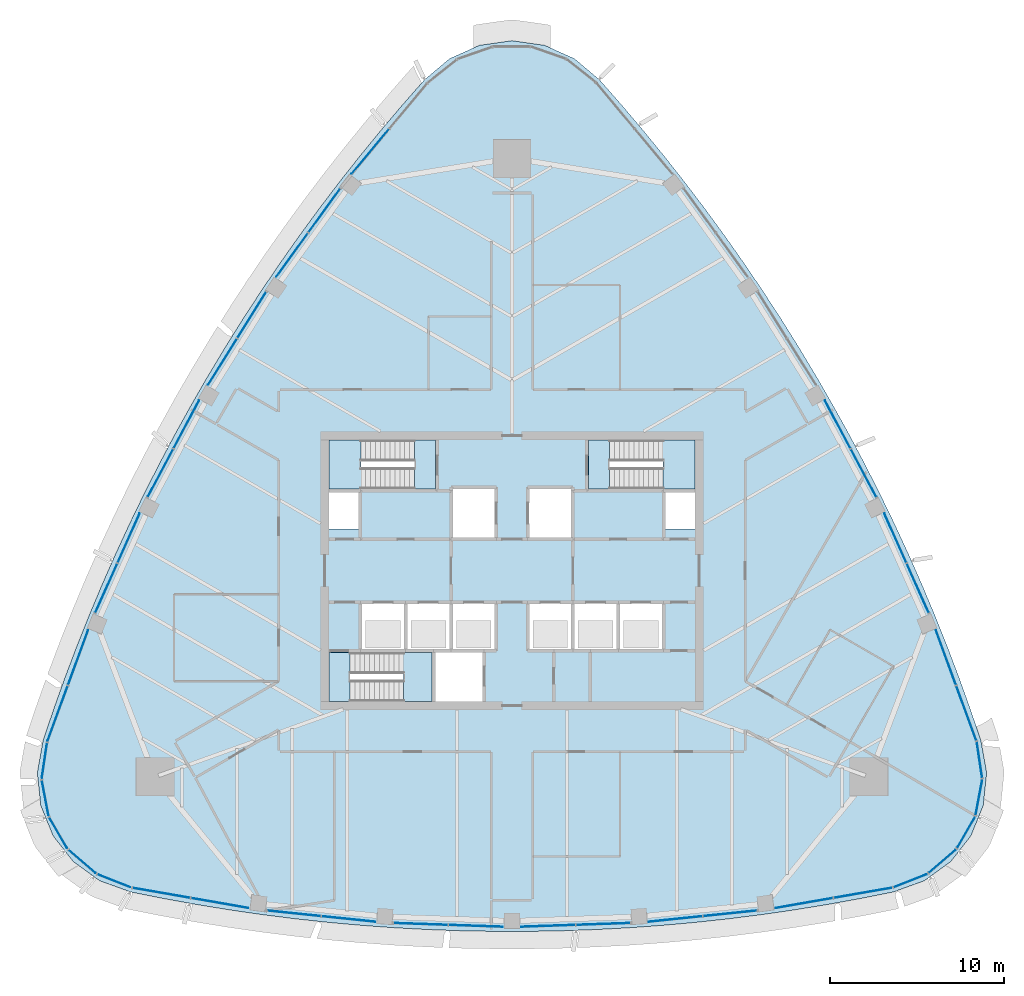
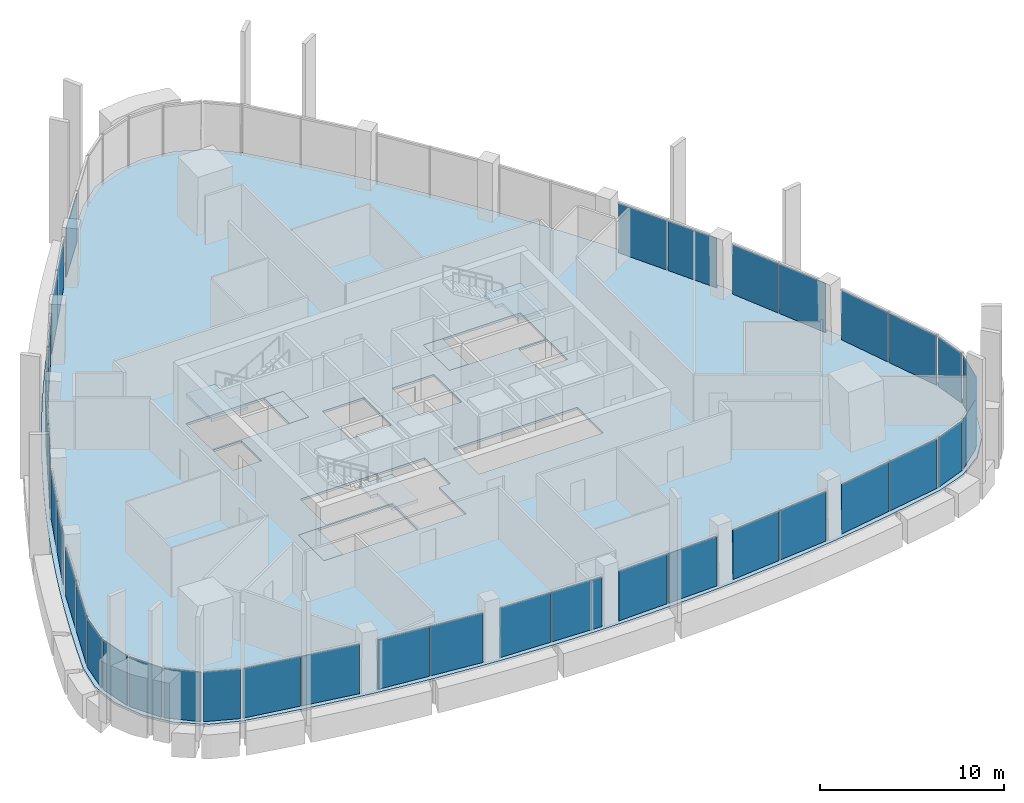
# One storey, part 7 of 19: 39 plates, 7 slabs, 28 elements without a shape of their own.
"""IFC4 building model written with IfcOpenShell, lengths in metres."""

from ifc_helpers import new_model, si_unit, direction, frame, origin, origin_2d, place, context, subcontext, project, spatial, polyline, rectangle, outline, extrude, material, layer, layer_set, type_object, element, aggregate, save


model = new_model("IFC4")

# Units and contexts
model_context = context("Model", 3, precision=1e-05, world=origin(), true_north=direction((0.0, 1.0)))
body_context = subcontext(model_context, "Body", "Model", "MODEL_VIEW")
ifc_project = project(units=[si_unit("LENGTHUNIT", "METRE"), si_unit("AREAUNIT", "SQUARE_METRE"), si_unit("VOLUMEUNIT", "CUBIC_METRE"), si_unit("PLANEANGLEUNIT", "RADIAN"), si_unit("MASSUNIT", "GRAM", prefix="KILO")], contexts=[model_context])

# Site, building, storey
site_placement = place(None, origin())
site = spatial("IfcSite", under=ifc_project, at=site_placement, CompositionType="ELEMENT")
building_placement = place(site_placement, origin())
building = spatial("IfcBuilding", under=site, at=building_placement, Name="Sierra Prisma Convention Tower", CompositionType="ELEMENT")
storey_placement = place(building_placement, frame((0.0, 0.0, 295.0)))
storey = spatial("IfcBuildingStorey", under=building, at=storey_placement, Name="L67", CompositionType="ELEMENT", Elevation=295.0)

# Curtain wall, plates
ifc_material_1 = material(Name="Aluminium and glass curtain wall", Category="aluminium")
ifc_layer_1 = layer(ifc_material_1, 0.179931640625)
ifc_layer_set_1 = layer_set([ifc_layer_1], Name="CW-1 Plain shaft curtain wall")
curtain_wall_type = type_object("IfcCurtainWallType", Name="CW-1 Plain shaft curtain wall", PredefinedType="NOTDEFINED", material=ifc_layer_set_1)
curtain_wall_1_placement = place(storey_placement, origin())
curtain_wall_1 = element("IfcCurtainWall", 1, at=curtain_wall_1_placement, inside=storey, type_object=curtain_wall_type, Name="CW-1 S1 L67", PredefinedType="NOTDEFINED")
ifc_material_2 = material(Name="Tinted glass bronze-grey IGU", Category="glass")
ifc_layer_2 = layer(ifc_material_2, 0.028076171875)
ifc_layer_set_2 = layer_set([ifc_layer_2], Name="CW-1 glass panel")
plate_type = type_object("IfcPlateType", Name="CW-1 glass panel", PredefinedType="CURTAIN_PANEL", material=ifc_layer_set_2)
plate_1_placement = place(storey_placement, frame((-20.130859375, -18.49462890625, 0.0), z_axis=(0.0, 0.0, 1.0), x_axis=(0.985214381035, -0.17132607333, 0.0)))
plate_1 = element("IfcPlate", 2, at=plate_1_placement, type_object=plate_type, Name="CW-1 panel S1.1", PredefinedType="CURTAIN_PANEL", context=body_context, shape_type="SweptSolid", body=[
    extrude(rectangle(XDim=3.3359375, YDim=0.028076171875, at=origin_2d()), origin(), (0.0, 0.0, 1.0), 3.280029296875),
])
plate_2_placement = place(storey_placement, frame((-16.775390625, -19.078125, 0.0), z_axis=(0.0, 0.0, 1.0), x_axis=(0.985214381035, -0.17132607333, 0.0)))
plate_2 = element("IfcPlate", 3, at=plate_2_placement, type_object=plate_type, Name="CW-1 panel S1.2", PredefinedType="CURTAIN_PANEL", context=body_context, shape_type="SweptSolid", body=[
    extrude(rectangle(XDim=3.3359375, YDim=0.028076171875, at=origin_2d()), origin(), (0.0, 0.0, 1.0), 3.280029296875),
])
aggregate(curtain_wall_1, [plate_1, plate_2])

curtain_wall_2_placement = place(storey_placement, origin())
curtain_wall_2 = element("IfcCurtainWall", 4, at=curtain_wall_2_placement, inside=storey, type_object=curtain_wall_type, Name="CW-1 S2 L67", PredefinedType="NOTDEFINED")
plate_3_placement = place(storey_placement, frame((-12.52294921875, -19.67041015625, 0.0), z_axis=(0.0, 0.0, 1.0), x_axis=(0.994668752117, -0.10312164449, 0.0)))
plate_3 = element("IfcPlate", 5, at=plate_3_placement, type_object=plate_type, Name="CW-1 panel S2.1", PredefinedType="CURTAIN_PANEL", context=body_context, shape_type="SweptSolid", body=[
    extrude(rectangle(XDim=3.0888671875, YDim=0.028076171875, at=origin_2d()), origin(), (0.0, 0.0, 1.0), 3.280029296875),
])
plate_4_placement = place(storey_placement, frame((-9.380859375, -19.99609375, 0.0), z_axis=(0.0, 0.0, 1.0), x_axis=(0.994668752117, -0.10312164449, 0.0)))
plate_4 = element("IfcPlate", 6, at=plate_4_placement, type_object=plate_type, Name="CW-1 panel S2.2", PredefinedType="CURTAIN_PANEL", context=body_context, shape_type="SweptSolid", body=[
    extrude(rectangle(XDim=3.0888671875, YDim=0.028076171875, at=origin_2d()), origin(), (0.0, 0.0, 1.0), 3.280029296875),
])
aggregate(curtain_wall_2, [plate_3, plate_4])

curtain_wall_3_placement = place(storey_placement, origin())
curtain_wall_3 = element("IfcCurtainWall", 7, at=curtain_wall_3_placement, inside=storey, type_object=curtain_wall_type, Name="CW-1 S3 L67", PredefinedType="NOTDEFINED")
plate_5_placement = place(storey_placement, frame((-5.244140625, -20.28076171875, 0.0), z_axis=(0.0, 0.0, 1.0), x_axis=(0.999407170621, -0.034428292311, 0.0)))
plate_5 = element("IfcPlate", 8, at=plate_5_placement, type_object=plate_type, Name="CW-1 panel S3.1", PredefinedType="CURTAIN_PANEL", context=body_context, shape_type="SweptSolid", body=[
    extrude(rectangle(XDim=3.104736328125, YDim=0.028076171875, at=origin_2d()), origin(), (0.0, 0.0, 1.0), 3.280029296875),
])
plate_6_placement = place(storey_placement, frame((-2.0712890625, -20.39013671875, 0.0), z_axis=(0.0, 0.0, 1.0), x_axis=(0.999407170621, -0.034428292311, 0.0)))
plate_6 = element("IfcPlate", 9, at=plate_6_placement, type_object=plate_type, Name="CW-1 panel S3.2", PredefinedType="CURTAIN_PANEL", context=body_context, shape_type="SweptSolid", body=[
    extrude(rectangle(XDim=3.104736328125, YDim=0.028076171875, at=origin_2d()), origin(), (0.0, 0.0, 1.0), 3.280029296875),
])
aggregate(curtain_wall_3, [plate_5, plate_6])

curtain_wall_4_placement = place(storey_placement, origin())
curtain_wall_4 = element("IfcCurtainWall", 10, at=curtain_wall_4_placement, inside=storey, type_object=curtain_wall_type, Name="CW-1 S4 L67", PredefinedType="NOTDEFINED")
plate_7_placement = place(storey_placement, frame((2.0712890625, -20.39013671875, 0.0), z_axis=(0.0, 0.0, 1.0), x_axis=(0.999407170621, 0.034428292311, 0.0)))
plate_7 = element("IfcPlate", 11, at=plate_7_placement, type_object=plate_type, Name="CW-1 panel S4.1", PredefinedType="CURTAIN_PANEL", context=body_context, shape_type="SweptSolid", body=[
    extrude(rectangle(XDim=3.104736328125, YDim=0.028076171875, at=origin_2d()), origin(), (0.0, 0.0, 1.0), 3.280029296875),
])
plate_8_placement = place(storey_placement, frame((5.244140625, -20.28076171875, 0.0), z_axis=(0.0, 0.0, 1.0), x_axis=(0.999407170621, 0.034428292311, 0.0)))
plate_8 = element("IfcPlate", 12, at=plate_8_placement, type_object=plate_type, Name="CW-1 panel S4.2", PredefinedType="CURTAIN_PANEL", context=body_context, shape_type="SweptSolid", body=[
    extrude(rectangle(XDim=3.104736328125, YDim=0.028076171875, at=origin_2d()), origin(), (0.0, 0.0, 1.0), 3.280029296875),
])
aggregate(curtain_wall_4, [plate_7, plate_8])

curtain_wall_5_placement = place(storey_placement, origin())
curtain_wall_5 = element("IfcCurtainWall", 13, at=curtain_wall_5_placement, inside=storey, type_object=curtain_wall_type, Name="CW-1 S5 L67", PredefinedType="NOTDEFINED")
plate_9_placement = place(storey_placement, frame((9.380859375, -19.99609375, 0.0), z_axis=(0.0, 0.0, 1.0), x_axis=(0.994668752117, 0.10312164449, 0.0)))
plate_9 = element("IfcPlate", 14, at=plate_9_placement, type_object=plate_type, Name="CW-1 panel S5.1", PredefinedType="CURTAIN_PANEL", context=body_context, shape_type="SweptSolid", body=[
    extrude(rectangle(XDim=3.0888671875, YDim=0.028076171875, at=origin_2d()), origin(), (0.0, 0.0, 1.0), 3.280029296875),
])
plate_10_placement = place(storey_placement, frame((12.52294921875, -19.67041015625, 0.0), z_axis=(0.0, 0.0, 1.0), x_axis=(0.994668752117, 0.10312164449, 0.0)))
plate_10 = element("IfcPlate", 15, at=plate_10_placement, type_object=plate_type, Name="CW-1 panel S5.2", PredefinedType="CURTAIN_PANEL", context=body_context, shape_type="SweptSolid", body=[
    extrude(rectangle(XDim=3.0888671875, YDim=0.028076171875, at=origin_2d()), origin(), (0.0, 0.0, 1.0), 3.280029296875),
])
aggregate(curtain_wall_5, [plate_9, plate_10])

curtain_wall_6_placement = place(storey_placement, origin())
curtain_wall_6 = element("IfcCurtainWall", 16, at=curtain_wall_6_placement, inside=storey, type_object=curtain_wall_type, Name="CW-1 S6 L67", PredefinedType="NOTDEFINED")
plate_11_placement = place(storey_placement, frame((16.775390625, -19.078125, 0.0), z_axis=(0.0, 0.0, 1.0), x_axis=(0.985214381035, 0.17132607333, 0.0)))
plate_11 = element("IfcPlate", 17, at=plate_11_placement, type_object=plate_type, Name="CW-1 panel S6.1", PredefinedType="CURTAIN_PANEL", context=body_context, shape_type="SweptSolid", body=[
    extrude(rectangle(XDim=3.3359375, YDim=0.028076171875, at=origin_2d()), origin(), (0.0, 0.0, 1.0), 3.280029296875),
])
plate_12_placement = place(storey_placement, frame((20.130859375, -18.49462890625, 0.0), z_axis=(0.0, 0.0, 1.0), x_axis=(0.985214381035, 0.17132607333, 0.0)))
plate_12 = element("IfcPlate", 18, at=plate_12_placement, type_object=plate_type, Name="CW-1 panel S6.2", PredefinedType="CURTAIN_PANEL", context=body_context, shape_type="SweptSolid", body=[
    extrude(rectangle(XDim=3.3359375, YDim=0.028076171875, at=origin_2d()), origin(), (0.0, 0.0, 1.0), 3.280029296875),
])
aggregate(curtain_wall_6, [plate_11, plate_12])

# Curtain wall, plate
curtain_wall_7_placement = place(storey_placement, origin())
curtain_wall_7 = element("IfcCurtainWall", 19, at=curtain_wall_7_placement, inside=storey, type_object=curtain_wall_type, Name="CW-1 SE1 L67", PredefinedType="NOTDEFINED")
plate_13_placement = place(storey_placement, frame((22.85400390625, -17.79931640625, 0.0), z_axis=(0.0, 0.0, 1.0), x_axis=(0.930607221957, 0.366019396265, 0.0)))
plate_13 = element("IfcPlate", 20, at=plate_13_placement, type_object=plate_type, Name="CW-1 panel SE1.1", PredefinedType="CURTAIN_PANEL", context=body_context, shape_type="SweptSolid", body=[
    extrude(rectangle(XDim=2.032958984375, YDim=0.028076171875, at=origin_2d()), origin(), (0.0, 0.0, 1.0), 3.280029296875),
])
aggregate(curtain_wall_7, [plate_13])

curtain_wall_8_placement = place(storey_placement, origin())
curtain_wall_8 = element("IfcCurtainWall", 21, at=curtain_wall_8_placement, inside=storey, type_object=curtain_wall_type, Name="CW-1 SE2 L67", PredefinedType="NOTDEFINED")
plate_14_placement = place(storey_placement, frame((24.6884765625, -16.692626953125, 0.0), z_axis=(0.0, 0.0, 1.0), x_axis=(0.757733962396, 0.652563592481, 0.0)))
plate_14 = element("IfcPlate", 22, at=plate_14_placement, type_object=plate_type, Name="CW-1 panel SE2.1", PredefinedType="CURTAIN_PANEL", context=body_context, shape_type="SweptSolid", body=[
    extrude(rectangle(XDim=2.032958984375, YDim=0.028076171875, at=origin_2d()), origin(), (0.0, 0.0, 1.0), 3.280029296875),
])
aggregate(curtain_wall_8, [plate_14])

curtain_wall_9_placement = place(storey_placement, origin())
curtain_wall_9 = element("IfcCurtainWall", 23, at=curtain_wall_9_placement, inside=storey, type_object=curtain_wall_type, Name="CW-1 SE3 L67", PredefinedType="NOTDEFINED")
plate_15_placement = place(storey_placement, frame((26.054931640625, -15.042724609375, 0.0), z_axis=(0.0, 0.0, 1.0), x_axis=(0.5, 0.866025403784, 0.0)))
plate_15 = element("IfcPlate", 24, at=plate_15_placement, type_object=plate_type, Name="CW-1 panel SE3.1", PredefinedType="CURTAIN_PANEL", context=body_context, shape_type="SweptSolid", body=[
    extrude(rectangle(XDim=2.032958984375, YDim=0.028076171875, at=origin_2d()), origin(), (0.0, 0.0, 1.0), 3.280029296875),
])
aggregate(curtain_wall_9, [plate_15])

curtain_wall_10_placement = place(storey_placement, origin())
curtain_wall_10 = element("IfcCurtainWall", 25, at=curtain_wall_10_placement, inside=storey, type_object=curtain_wall_type, Name="CW-1 SE4 L67", PredefinedType="NOTDEFINED")
plate_16_placement = place(storey_placement, frame((26.80029296875, -13.034423828125, 0.0), z_axis=(0.0, 0.0, 1.0), x_axis=(0.186269667476, 0.982498656986, 0.0)))
plate_16 = element("IfcPlate", 26, at=plate_16_placement, type_object=plate_type, Name="CW-1 panel SE4.1", PredefinedType="CURTAIN_PANEL", context=body_context, shape_type="SweptSolid", body=[
    extrude(rectangle(XDim=2.032958984375, YDim=0.028076171875, at=origin_2d()), origin(), (0.0, 0.0, 1.0), 3.280029296875),
])
aggregate(curtain_wall_10, [plate_16])

curtain_wall_11_placement = place(storey_placement, origin())
curtain_wall_11 = element("IfcCurtainWall", 27, at=curtain_wall_11_placement, inside=storey, type_object=curtain_wall_type, Name="CW-1 SE5 L67", PredefinedType="NOTDEFINED")
plate_17_placement = place(storey_placement, frame((26.841552734375, -10.892578125, 0.0), z_axis=(0.0, 0.0, 1.0), x_axis=(-0.148321515535, 0.988939193292, 0.0)))
plate_17 = element("IfcPlate", 28, at=plate_17_placement, type_object=plate_type, Name="CW-1 panel SE5.1", PredefinedType="CURTAIN_PANEL", context=body_context, shape_type="SweptSolid", body=[
    extrude(rectangle(XDim=2.032958984375, YDim=0.028076171875, at=origin_2d()), origin(), (0.0, 0.0, 1.0), 3.280029296875),
])
aggregate(curtain_wall_11, [plate_17])

# Curtain wall, plates
curtain_wall_12_placement = place(storey_placement, origin())
curtain_wall_12 = element("IfcCurtainWall", 29, at=curtain_wall_12_placement, inside=storey, type_object=curtain_wall_type, Name="CW-1 NE1 L67", PredefinedType="NOTDEFINED")
plate_18_placement = place(storey_placement, frame((26.082275390625, -8.1865234375, 0.0), z_axis=(0.0, 0.0, 1.0), x_axis=(-0.344234458683, 0.938883718815, 0.0)))
plate_18 = element("IfcPlate", 30, at=plate_18_placement, type_object=plate_type, Name="CW-1 panel NE1.1", PredefinedType="CURTAIN_PANEL", context=body_context, shape_type="SweptSolid", body=[
    extrude(rectangle(XDim=3.3359375, YDim=0.028076171875, at=origin_2d()), origin(), (0.0, 0.0, 1.0), 3.280029296875),
])
plate_19_placement = place(storey_placement, frame((24.909912109375, -4.98876953125, 0.0), z_axis=(0.0, 0.0, 1.0), x_axis=(-0.344234458683, 0.938883718815, 0.0)))
plate_19 = element("IfcPlate", 31, at=plate_19_placement, type_object=plate_type, Name="CW-1 panel NE1.2", PredefinedType="CURTAIN_PANEL", context=body_context, shape_type="SweptSolid", body=[
    extrude(rectangle(XDim=3.3359375, YDim=0.028076171875, at=origin_2d()), origin(), (0.0, 0.0, 1.0), 3.280029296875),
])
aggregate(curtain_wall_12, [plate_18, plate_19])

curtain_wall_13_placement = place(storey_placement, origin())
curtain_wall_13 = element("IfcCurtainWall", 32, at=curtain_wall_13_placement, inside=storey, type_object=curtain_wall_type, Name="CW-1 NE2 L67", PredefinedType="NOTDEFINED")
plate_20_placement = place(storey_placement, frame((23.296630859375, -1.010009765625, 0.0), z_axis=(0.0, 0.0, 1.0), x_axis=(-0.40802841225, 0.912969229929, 0.0)))
plate_20 = element("IfcPlate", 33, at=plate_20_placement, type_object=plate_type, Name="CW-1 panel NE2.1", PredefinedType="CURTAIN_PANEL", context=body_context, shape_type="SweptSolid", body=[
    extrude(rectangle(XDim=3.089111328125, YDim=0.028076171875, at=origin_2d()), origin(), (0.0, 0.0, 1.0), 3.280029296875),
])
plate_21_placement = place(storey_placement, frame((22.007568359375, 1.8740234375, 0.0), z_axis=(0.0, 0.0, 1.0), x_axis=(-0.40802841225, 0.912969229929, 0.0)))
plate_21 = element("IfcPlate", 34, at=plate_21_placement, type_object=plate_type, Name="CW-1 panel NE2.2", PredefinedType="CURTAIN_PANEL", context=body_context, shape_type="SweptSolid", body=[
    extrude(rectangle(XDim=3.089111328125, YDim=0.028076171875, at=origin_2d()), origin(), (0.0, 0.0, 1.0), 3.280029296875),
])
aggregate(curtain_wall_13, [plate_20, plate_21])

curtain_wall_14_placement = place(storey_placement, origin())
curtain_wall_14 = element("IfcCurtainWall", 35, at=curtain_wall_14_placement, inside=storey, type_object=curtain_wall_type, Name="CW-1 NE3 L67", PredefinedType="NOTDEFINED")
plate_22_placement = place(storey_placement, frame((20.185791015625, 5.598876953125, 0.0), z_axis=(0.0, 0.0, 1.0), x_axis=(-0.46988780956, 0.882726144638, 0.0)))
plate_22 = element("IfcPlate", 36, at=plate_22_placement, type_object=plate_type, Name="CW-1 panel NE3.1", PredefinedType="CURTAIN_PANEL", context=body_context, shape_type="SweptSolid", body=[
    extrude(rectangle(XDim=3.104736328125, YDim=0.028076171875, at=origin_2d()), origin(), (0.0, 0.0, 1.0), 3.280029296875),
])
plate_23_placement = place(storey_placement, frame((18.69384765625, 8.4013671875, 0.0), z_axis=(0.0, 0.0, 1.0), x_axis=(-0.46988780956, 0.882726144638, 0.0)))
plate_23 = element("IfcPlate", 37, at=plate_23_placement, type_object=plate_type, Name="CW-1 panel NE3.2", PredefinedType="CURTAIN_PANEL", context=body_context, shape_type="SweptSolid", body=[
    extrude(rectangle(XDim=3.104736328125, YDim=0.028076171875, at=origin_2d()), origin(), (0.0, 0.0, 1.0), 3.280029296875),
])
aggregate(curtain_wall_14, [plate_22, plate_23])

# Curtain wall, plate
curtain_wall_15_placement = place(storey_placement, origin())
curtain_wall_15 = element("IfcCurtainWall", 38, at=curtain_wall_15_placement, inside=storey, type_object=curtain_wall_type, Name="CW-1 NW1 L67", PredefinedType="NOTDEFINED")
plate_24_placement = place(storey_placement, frame((-8.134521484375, 24.06689453125, 0.0), z_axis=(0.0, 0.0, 1.0), x_axis=(-0.640979922352, -0.767557645485, 0.0)))
plate_24 = element("IfcPlate", 39, at=plate_24_placement, type_object=plate_type, Name="CW-1 panel NW1.2", PredefinedType="CURTAIN_PANEL", context=body_context, shape_type="SweptSolid", body=[
    extrude(rectangle(XDim=3.3359375, YDim=0.028076171875, at=origin_2d()), origin(), (0.0, 0.0, 1.0), 3.280029296875),
])
aggregate(curtain_wall_15, [plate_24])

# Curtain wall, plates
curtain_wall_16_placement = place(storey_placement, origin())
curtain_wall_16 = element("IfcCurtainWall", 40, at=curtain_wall_16_placement, inside=storey, type_object=curtain_wall_type, Name="CW-1 NW2 L67", PredefinedType="NOTDEFINED")
plate_25_placement = place(storey_placement, frame((-10.773681640625, 20.680419921875, 0.0), z_axis=(0.0, 0.0, 1.0), x_axis=(-0.586640339867, -0.809847585439, 0.0)))
plate_25 = element("IfcPlate", 41, at=plate_25_placement, type_object=plate_type, Name="CW-1 panel NW2.1", PredefinedType="CURTAIN_PANEL", context=body_context, shape_type="SweptSolid", body=[
    extrude(rectangle(XDim=3.0888671875, YDim=0.028076171875, at=origin_2d()), origin(), (0.0, 0.0, 1.0), 3.280029296875),
])
plate_26_placement = place(storey_placement, frame((-12.626708984375, 18.1220703125, 0.0), z_axis=(0.0, 0.0, 1.0), x_axis=(-0.586640339867, -0.809847585439, 0.0)))
plate_26 = element("IfcPlate", 42, at=plate_26_placement, type_object=plate_type, Name="CW-1 panel NW2.2", PredefinedType="CURTAIN_PANEL", context=body_context, shape_type="SweptSolid", body=[
    extrude(rectangle(XDim=3.0888671875, YDim=0.028076171875, at=origin_2d()), origin(), (0.0, 0.0, 1.0), 3.280029296875),
])
aggregate(curtain_wall_16, [plate_25, plate_26])

curtain_wall_17_placement = place(storey_placement, origin())
curtain_wall_17 = element("IfcCurtainWall", 43, at=curtain_wall_17_placement, inside=storey, type_object=curtain_wall_type, Name="CW-1 NW3 L67", PredefinedType="NOTDEFINED")
plate_27_placement = place(storey_placement, frame((-14.941650390625, 14.681884765625, 0.0), z_axis=(0.0, 0.0, 1.0), x_axis=(-0.529519361061, -0.848297852326, 0.0)))
plate_27 = element("IfcPlate", 44, at=plate_27_placement, type_object=plate_type, Name="CW-1 panel NW3.1", PredefinedType="CURTAIN_PANEL", context=body_context, shape_type="SweptSolid", body=[
    extrude(rectangle(XDim=3.104736328125, YDim=0.028076171875, at=origin_2d()), origin(), (0.0, 0.0, 1.0), 3.280029296875),
])
plate_28_placement = place(storey_placement, frame((-16.622802734375, 11.98876953125, 0.0), z_axis=(0.0, 0.0, 1.0), x_axis=(-0.529519361061, -0.848297852326, 0.0)))
plate_28 = element("IfcPlate", 45, at=plate_28_placement, type_object=plate_type, Name="CW-1 panel NW3.2", PredefinedType="CURTAIN_PANEL", context=body_context, shape_type="SweptSolid", body=[
    extrude(rectangle(XDim=3.104736328125, YDim=0.028076171875, at=origin_2d()), origin(), (0.0, 0.0, 1.0), 3.280029296875),
])
aggregate(curtain_wall_17, [plate_27, plate_28])

curtain_wall_18_placement = place(storey_placement, origin())
curtain_wall_18 = element("IfcCurtainWall", 46, at=curtain_wall_18_placement, inside=storey, type_object=curtain_wall_type, Name="CW-1 NW4 L67", PredefinedType="NOTDEFINED")
plate_29_placement = place(storey_placement, frame((-18.69384765625, 8.4013671875, 0.0), z_axis=(0.0, 0.0, 1.0), x_axis=(-0.46988780956, -0.882726144638, 0.0)))
plate_29 = element("IfcPlate", 47, at=plate_29_placement, type_object=plate_type, Name="CW-1 panel NW4.1", PredefinedType="CURTAIN_PANEL", context=body_context, shape_type="SweptSolid", body=[
    extrude(rectangle(XDim=3.104736328125, YDim=0.028076171875, at=origin_2d()), origin(), (0.0, 0.0, 1.0), 3.280029296875),
])
plate_30_placement = place(storey_placement, frame((-20.185791015625, 5.598876953125, 0.0), z_axis=(0.0, 0.0, 1.0), x_axis=(-0.46988780956, -0.882726144638, 0.0)))
plate_30 = element("IfcPlate", 48, at=plate_30_placement, type_object=plate_type, Name="CW-1 panel NW4.2", PredefinedType="CURTAIN_PANEL", context=body_context, shape_type="SweptSolid", body=[
    extrude(rectangle(XDim=3.104736328125, YDim=0.028076171875, at=origin_2d()), origin(), (0.0, 0.0, 1.0), 3.280029296875),
])
aggregate(curtain_wall_18, [plate_29, plate_30])

curtain_wall_19_placement = place(storey_placement, origin())
curtain_wall_19 = element("IfcCurtainWall", 49, at=curtain_wall_19_placement, inside=storey, type_object=curtain_wall_type, Name="CW-1 NW5 L67", PredefinedType="NOTDEFINED")
plate_31_placement = place(storey_placement, frame((-22.007568359375, 1.8740234375, 0.0), z_axis=(0.0, 0.0, 1.0), x_axis=(-0.40802841225, -0.912969229929, 0.0)))
plate_31 = element("IfcPlate", 50, at=plate_31_placement, type_object=plate_type, Name="CW-1 panel NW5.1", PredefinedType="CURTAIN_PANEL", context=body_context, shape_type="SweptSolid", body=[
    extrude(rectangle(XDim=3.0888671875, YDim=0.028076171875, at=origin_2d()), origin(), (0.0, 0.0, 1.0), 3.280029296875),
])
plate_32_placement = place(storey_placement, frame((-23.29638671875, -1.010009765625, 0.0), z_axis=(0.0, 0.0, 1.0), x_axis=(-0.40802841225, -0.912969229929, 0.0)))
plate_32 = element("IfcPlate", 51, at=plate_32_placement, type_object=plate_type, Name="CW-1 panel NW5.2", PredefinedType="CURTAIN_PANEL", context=body_context, shape_type="SweptSolid", body=[
    extrude(rectangle(XDim=3.0888671875, YDim=0.028076171875, at=origin_2d()), origin(), (0.0, 0.0, 1.0), 3.280029296875),
])
aggregate(curtain_wall_19, [plate_31, plate_32])

curtain_wall_20_placement = place(storey_placement, origin())
curtain_wall_20 = element("IfcCurtainWall", 52, at=curtain_wall_20_placement, inside=storey, type_object=curtain_wall_type, Name="CW-1 NW6 L67", PredefinedType="NOTDEFINED")
plate_33_placement = place(storey_placement, frame((-24.909912109375, -4.98876953125, 0.0), z_axis=(0.0, 0.0, 1.0), x_axis=(-0.344234458683, -0.938883718815, 0.0)))
plate_33 = element("IfcPlate", 53, at=plate_33_placement, type_object=plate_type, Name="CW-1 panel NW6.1", PredefinedType="CURTAIN_PANEL", context=body_context, shape_type="SweptSolid", body=[
    extrude(rectangle(XDim=3.3359375, YDim=0.028076171875, at=origin_2d()), origin(), (0.0, 0.0, 1.0), 3.280029296875),
])
plate_34_placement = place(storey_placement, frame((-26.082275390625, -8.1865234375, 0.0), z_axis=(0.0, 0.0, 1.0), x_axis=(-0.344234458683, -0.938883718815, 0.0)))
plate_34 = element("IfcPlate", 54, at=plate_34_placement, type_object=plate_type, Name="CW-1 panel NW6.2", PredefinedType="CURTAIN_PANEL", context=body_context, shape_type="SweptSolid", body=[
    extrude(rectangle(XDim=3.3359375, YDim=0.028076171875, at=origin_2d()), origin(), (0.0, 0.0, 1.0), 3.280029296875),
])
aggregate(curtain_wall_20, [plate_33, plate_34])

# Curtain wall, plate
curtain_wall_21_placement = place(storey_placement, origin())
curtain_wall_21 = element("IfcCurtainWall", 55, at=curtain_wall_21_placement, inside=storey, type_object=curtain_wall_type, Name="CW-1 SW1 L67", PredefinedType="NOTDEFINED")
plate_35_placement = place(storey_placement, frame((-26.841552734375, -10.892578125, 0.0), z_axis=(0.0, 0.0, 1.0), x_axis=(-0.148321515535, -0.988939193292, 0.0)))
plate_35 = element("IfcPlate", 56, at=plate_35_placement, type_object=plate_type, Name="CW-1 panel SW1.1", PredefinedType="CURTAIN_PANEL", context=body_context, shape_type="SweptSolid", body=[
    extrude(rectangle(XDim=2.032958984375, YDim=0.028076171875, at=origin_2d()), origin(), (0.0, 0.0, 1.0), 3.280029296875),
])
aggregate(curtain_wall_21, [plate_35])

curtain_wall_22_placement = place(storey_placement, origin())
curtain_wall_22 = element("IfcCurtainWall", 57, at=curtain_wall_22_placement, inside=storey, type_object=curtain_wall_type, Name="CW-1 SW2 L67", PredefinedType="NOTDEFINED")
plate_36_placement = place(storey_placement, frame((-26.80029296875, -13.034423828125, 0.0), z_axis=(0.0, 0.0, 1.0), x_axis=(0.186269667476, -0.982498656986, 0.0)))
plate_36 = element("IfcPlate", 58, at=plate_36_placement, type_object=plate_type, Name="CW-1 panel SW2.1", PredefinedType="CURTAIN_PANEL", context=body_context, shape_type="SweptSolid", body=[
    extrude(rectangle(XDim=2.032958984375, YDim=0.028076171875, at=origin_2d()), origin(), (0.0, 0.0, 1.0), 3.280029296875),
])
aggregate(curtain_wall_22, [plate_36])

curtain_wall_23_placement = place(storey_placement, origin())
curtain_wall_23 = element("IfcCurtainWall", 59, at=curtain_wall_23_placement, inside=storey, type_object=curtain_wall_type, Name="CW-1 SW3 L67", PredefinedType="NOTDEFINED")
plate_37_placement = place(storey_placement, frame((-26.054931640625, -15.042724609375, 0.0), z_axis=(0.0, 0.0, 1.0), x_axis=(0.5, -0.866025403784, 0.0)))
plate_37 = element("IfcPlate", 60, at=plate_37_placement, type_object=plate_type, Name="CW-1 panel SW3.1", PredefinedType="CURTAIN_PANEL", context=body_context, shape_type="SweptSolid", body=[
    extrude(rectangle(XDim=2.032958984375, YDim=0.028076171875, at=origin_2d()), origin(), (0.0, 0.0, 1.0), 3.280029296875),
])
aggregate(curtain_wall_23, [plate_37])

curtain_wall_24_placement = place(storey_placement, origin())
curtain_wall_24 = element("IfcCurtainWall", 61, at=curtain_wall_24_placement, inside=storey, type_object=curtain_wall_type, Name="CW-1 SW4 L67", PredefinedType="NOTDEFINED")
plate_38_placement = place(storey_placement, frame((-24.6884765625, -16.692626953125, 0.0), z_axis=(0.0, 0.0, 1.0), x_axis=(0.757733962396, -0.652563592481, 0.0)))
plate_38 = element("IfcPlate", 62, at=plate_38_placement, type_object=plate_type, Name="CW-1 panel SW4.1", PredefinedType="CURTAIN_PANEL", context=body_context, shape_type="SweptSolid", body=[
    extrude(rectangle(XDim=2.032958984375, YDim=0.028076171875, at=origin_2d()), origin(), (0.0, 0.0, 1.0), 3.280029296875),
])
aggregate(curtain_wall_24, [plate_38])

curtain_wall_25_placement = place(storey_placement, origin())
curtain_wall_25 = element("IfcCurtainWall", 63, at=curtain_wall_25_placement, inside=storey, type_object=curtain_wall_type, Name="CW-1 SW5 L67", PredefinedType="NOTDEFINED")
plate_39_placement = place(storey_placement, frame((-22.85400390625, -17.79931640625, 0.0), z_axis=(0.0, 0.0, 1.0), x_axis=(0.930607221957, -0.366019396265, 0.0)))
plate_39 = element("IfcPlate", 64, at=plate_39_placement, type_object=plate_type, Name="CW-1 panel SW5.1", PredefinedType="CURTAIN_PANEL", context=body_context, shape_type="SweptSolid", body=[
    extrude(rectangle(XDim=2.032958984375, YDim=0.028076171875, at=origin_2d()), origin(), (0.0, 0.0, 1.0), 3.280029296875),
])
aggregate(curtain_wall_25, [plate_39])

# Slab
ifc_material_3 = material(Name="Concrete C35/45", Category="concrete")
ifc_layer_3 = layer(ifc_material_3, 0.14990234375)
ifc_layer_set_3 = layer_set([ifc_layer_3], Name="Composite floor slab 150")
slab_type_1 = type_object("IfcSlabType", Name="Composite floor slab 150", PredefinedType="FLOOR", material=ifc_layer_set_3)
slab_1_placement = place(storey_placement, frame((0.0, 0.0, -0.14990234375)))
element("IfcSlab", 65, at=slab_1_placement, inside=storey, type_object=slab_type_1, Name="Floor slab L67 floor", PredefinedType="FLOOR", context=body_context, shape_type="SweptSolid", body=[
    extrude(outline(polyline([(-21.894287109375, -18.441650390625), (-20.01416015625, -18.818115234375), (-18.127685546875, -19.16064453125), (-16.235107421875, -19.46923828125), (-14.337646484375, -19.743896484375), (-12.435302734375, -19.984619140625), (-10.529052734375, -20.19091796875), (-8.619140625, -20.36279296875), (-6.706787109375, -20.50048828125), (-4.7919921875, -20.603759765625), (-2.8759765625, -20.672607421875), (-0.958740234375, -20.70703125), (0.958740234375, -20.70703125), (2.8759765625, -20.672607421875), (4.7919921875, -20.603759765625), (6.706787109375, -20.50048828125), (8.619140625, -20.36279296875), (10.529052734375, -20.19091796875), (12.435302734375, -19.984619140625), (14.337646484375, -19.743896484375), (16.235107421875, -19.46923828125), (18.127685546875, -19.16064453125), (20.01416015625, -18.818115234375), (21.894287109375, -18.441650390625), (23.66552734375, -17.8017578125), (25.1904296875, -16.697021484375), (26.3505859375, -15.213623046875), (27.05517578125, -13.46728515625), (27.24951171875, -11.593994140625), (26.91796875, -9.740234375), (26.303955078125, -7.923828125), (25.657470703125, -6.11865234375), (24.978515625, -4.325439453125), (24.267578125, -2.544677734375), (23.524658203125, -0.777099609375), (22.750244140625, 0.97705078125), (21.9443359375, 2.717041015625), (21.107421875, 4.442138671875), (20.239501953125, 6.15185546875), (19.341064453125, 7.845703125), (18.412353515625, 9.523193359375), (17.45361328125, 11.183837890625), (16.465087890625, 12.826904296875), (15.447265625, 14.451904296875), (14.400634765625, 16.058349609375), (13.3251953125, 17.645751953125), (12.22119140625, 19.213623046875), (11.08935546875, 20.761474609375), (9.929931640625, 22.28857421875), (8.743408203125, 23.794677734375), (7.52978515625, 25.279296875), (6.289794921875, 26.741943359375), (5.023681640625, 28.181884765625), (3.583984375, 29.395751953125), (1.86474609375, 30.1640625), (0.0, 30.427001953125), (-1.86474609375, 30.1640625), (-3.583984375, 29.395751953125), (-5.023681640625, 28.181884765625), (-6.289794921875, 26.741943359375), (-7.52978515625, 25.279296875), (-8.743408203125, 23.794677734375), (-9.929931640625, 22.28857421875), (-11.08935546875, 20.761474609375), (-12.22119140625, 19.213623046875), (-13.3251953125, 17.645751953125), (-14.400634765625, 16.058349609375), (-15.447265625, 14.451904296875), (-16.465087890625, 12.826904296875), (-17.45361328125, 11.183837890625), (-18.412353515625, 9.523193359375), (-19.341064453125, 7.845703125), (-20.239501953125, 6.15185546875), (-21.107421875, 4.442138671875), (-21.9443359375, 2.717041015625), (-22.750244140625, 0.97705078125), (-23.524658203125, -0.777099609375), (-24.267578125, -2.544677734375), (-24.978515625, -4.325439453125), (-25.657470703125, -6.11865234375), (-26.303955078125, -7.923828125), (-26.91796875, -9.740234375), (-27.24951171875, -11.593994140625), (-27.05517578125, -13.46728515625), (-26.3505859375, -15.213623046875), (-25.1904296875, -16.697021484375), (-23.66552734375, -17.8017578125), (-21.894287109375, -18.441650390625)]), holes=[polyline([(-4.60009765625, -4.699951171875), (-4.60009765625, -7.5), (-10.5, -7.5), (-10.5, -4.699951171875), (-4.60009765625, -4.699951171875)]), polyline([(-4.5, -7.5), (-4.5, -4.60009765625), (-6.10009765625, -4.60009765625), (-8.699951171875, -4.60009765625), (-8.699951171875, -1.800048828125), (-6.10009765625, -1.800048828125), (-3.5, -1.800048828125), (-0.89990234375, -1.800048828125), (-0.89990234375, -4.60009765625), (-1.60009765625, -4.60009765625), (-1.60009765625, -7.5), (-4.5, -7.5)]), polyline([(-8.699951171875, 2.39990234375), (-10.5, 2.39990234375), (-10.5, 4.60009765625), (-8.699951171875, 4.60009765625), (-8.699951171875, 2.39990234375)]), polyline([(-4.39990234375, 4.699951171875), (-10.5, 4.699951171875), (-10.5, 7.5), (-4.39990234375, 7.5), (-4.39990234375, 4.699951171875)]), polyline([(3.5, -1.800048828125), (6.10009765625, -1.800048828125), (8.699951171875, -1.800048828125), (8.699951171875, -4.60009765625), (6.10009765625, -4.60009765625), (3.5, -4.60009765625), (0.89990234375, -4.60009765625), (0.89990234375, -1.800048828125), (3.5, -1.800048828125)]), polyline([(-0.89990234375, 1.800048828125), (-3.5, 1.800048828125), (-3.5, 4.800048828125), (-0.89990234375, 4.800048828125), (-0.89990234375, 1.800048828125)]), polyline([(3.5, 1.800048828125), (0.89990234375, 1.800048828125), (0.89990234375, 4.800048828125), (3.5, 4.800048828125), (3.5, 1.800048828125)]), polyline([(10.5, 2.39990234375), (8.699951171875, 2.39990234375), (8.699951171875, 4.60009765625), (10.5, 4.60009765625), (10.5, 2.39990234375)]), polyline([(10.5, 4.699951171875), (4.39990234375, 4.699951171875), (4.39990234375, 7.5), (10.5, 7.5), (10.5, 4.699951171875)])]), origin(), (0.0, 0.0, 1.0), 0.14990234375),
])

# Stair, slab
ifc_material_4 = material(Name="Concrete C30/37", Category="concrete")
stair_type = type_object("IfcStairType", Name="Stair dog-leg 1200 RC", PredefinedType="HALF_TURN_STAIR", material=ifc_material_4)
stair_1_placement = place(storey_placement, origin())
stair_1 = element("IfcStair", 66, at=stair_1_placement, inside=storey, type_object=stair_type, Name="L67 S1", PredefinedType="HALF_TURN_STAIR")
ifc_material_5 = material(Name="Concrete C35/45", Category="concrete")
ifc_layer_4 = layer(ifc_material_5, 0.199951171875)
ifc_layer_set_4 = layer_set([ifc_layer_4], Name="Stair landing slab")
slab_type_2 = type_object("IfcSlabType", Name="Stair landing slab", PredefinedType="LANDING", material=ifc_layer_set_4)
slab_2_placement = place(storey_placement, frame((0.0, 0.0, 1.800048828125)))
slab_2 = element("IfcSlab", 67, at=slab_2_placement, type_object=slab_type_2, Name="S1 landing 1", PredefinedType="LANDING", context=body_context, shape_type="SweptSolid", body=[
    extrude(outline(polyline([(-4.60009765625, -4.699951171875), (-4.60009765625, -7.5), (-6.221923828125, -7.5), (-6.221923828125, -5.89990234375), (-6.669921875, -5.89990234375), (-6.669921875, -4.699951171875), (-4.60009765625, -4.699951171875)])), origin(), (0.0, 0.0, 1.0), 0.199951171875),
])
aggregate(stair_1, [slab_2])

# Slab
slab_3_placement = place(storey_placement, frame((0.0, 0.0, -0.199951171875)))
element("IfcSlab", 68, at=slab_3_placement, inside=storey, type_object=slab_type_2, Name="S1 floor landing L67", PredefinedType="LANDING", context=body_context, shape_type="SweptSolid", body=[
    extrude(outline(polyline([(-10.5, -7.5), (-9.298095703125, -7.5), (-9.298095703125, -4.699951171875), (-10.5, -4.699951171875), (-10.5, -7.5)])), origin(), (0.0, 0.0, 1.0), 0.199951171875),
])

# Stair, slab
stair_2_placement = place(storey_placement, origin())
stair_2 = element("IfcStair", 69, at=stair_2_placement, inside=storey, type_object=stair_type, Name="L67 S3", PredefinedType="HALF_TURN_STAIR")
slab_4_placement = place(storey_placement, frame((0.0, 0.0, 1.800048828125)))
slab_4 = element("IfcSlab", 70, at=slab_4_placement, type_object=slab_type_2, Name="S3 landing 1", PredefinedType="LANDING", context=body_context, shape_type="SweptSolid", body=[
    extrude(outline(polyline([(-8.22998046875, 5.89990234375), (-8.22998046875, 4.699951171875), (-10.5, 4.699951171875), (-10.5, 7.5), (-8.677978515625, 7.5), (-8.677978515625, 5.89990234375), (-8.22998046875, 5.89990234375)])), origin(), (0.0, 0.0, 1.0), 0.199951171875),
])
aggregate(stair_2, [slab_4])

# Slab
slab_5_placement = place(storey_placement, frame((0.0, 0.0, -0.199951171875)))
element("IfcSlab", 71, at=slab_5_placement, inside=storey, type_object=slab_type_2, Name="S3 floor landing L67", PredefinedType="LANDING", context=body_context, shape_type="SweptSolid", body=[
    extrude(outline(polyline([(-4.39990234375, 7.5), (-5.60205078125, 7.5), (-5.60205078125, 4.699951171875), (-4.39990234375, 4.699951171875), (-4.39990234375, 7.5)])), origin(), (0.0, 0.0, 1.0), 0.199951171875),
])

# Stair, slab
stair_3_placement = place(storey_placement, origin())
stair_3 = element("IfcStair", 72, at=stair_3_placement, inside=storey, type_object=stair_type, Name="L67 S4", PredefinedType="HALF_TURN_STAIR")
slab_6_placement = place(storey_placement, frame((0.0, 0.0, 1.800048828125)))
slab_6 = element("IfcSlab", 73, at=slab_6_placement, type_object=slab_type_2, Name="S4 landing 1", PredefinedType="LANDING", context=body_context, shape_type="SweptSolid", body=[
    extrude(outline(polyline([(10.5, 7.5), (10.5, 4.699951171875), (8.677978515625, 4.699951171875), (8.677978515625, 6.300048828125), (8.22998046875, 6.300048828125), (8.22998046875, 7.5), (10.5, 7.5)])), origin(), (0.0, 0.0, 1.0), 0.199951171875),
])
aggregate(stair_3, [slab_6])

# Slab
slab_7_placement = place(storey_placement, frame((0.0, 0.0, -0.199951171875)))
element("IfcSlab", 74, at=slab_7_placement, inside=storey, type_object=slab_type_2, Name="S4 floor landing L67", PredefinedType="LANDING", context=body_context, shape_type="SweptSolid", body=[
    extrude(outline(polyline([(4.39990234375, 4.699951171875), (5.60205078125, 4.699951171875), (5.60205078125, 7.5), (4.39990234375, 7.5), (4.39990234375, 4.699951171875)])), origin(), (0.0, 0.0, 1.0), 0.199951171875),
])

save(model, "model.ifc")
